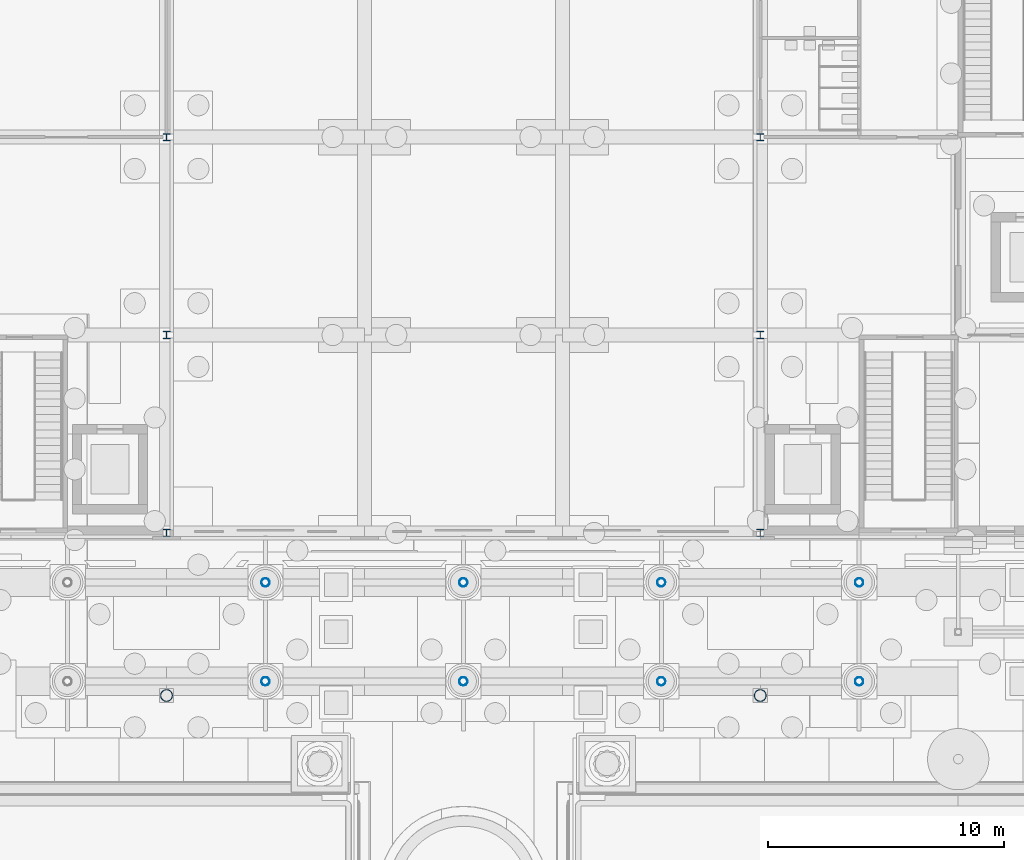
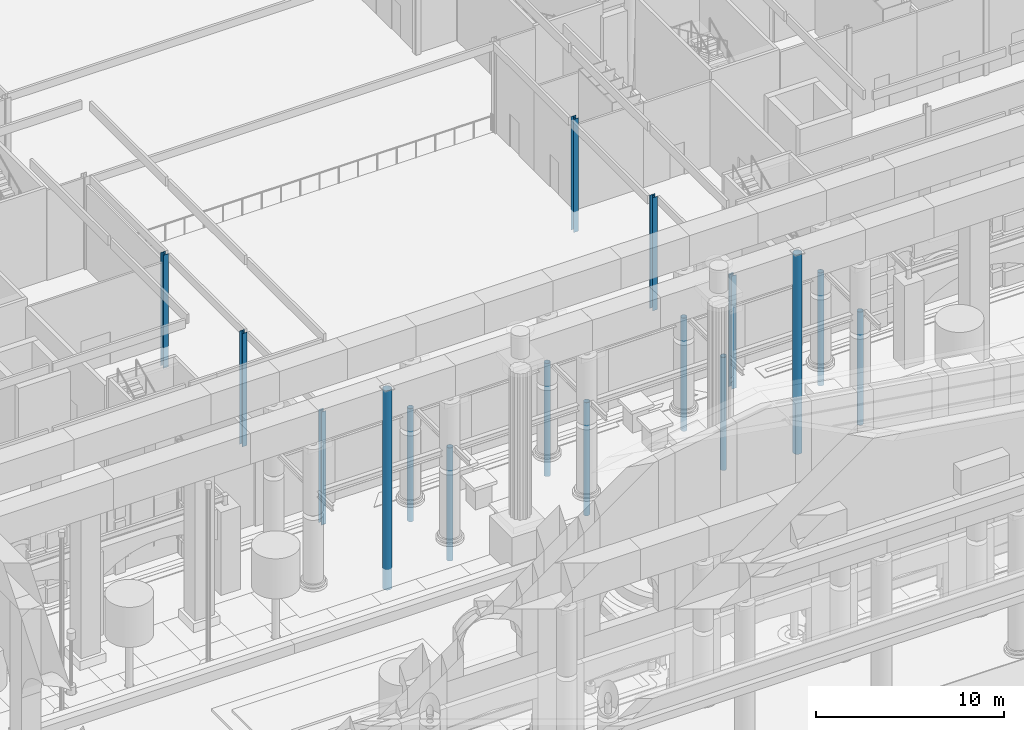
# One storey, part 14 of 222: 16 columns.
"""IFC4 building model written with IfcOpenShell, lengths in metres."""

from ifc_helpers import new_model, si_unit, direction, frame, origin, origin_2d, place, context, subcontext, project, spatial, hollow_circle, i_section, extrude, material, material_profile, profile_set, type_object, element, save


model = new_model("IFC4")

# Units and contexts
model_context = context("Model", 3, precision=1e-05, world=origin(), true_north=direction((0.0, 1.0)))
body_context = subcontext(model_context, "Body", "Model", "MODEL_VIEW")
ifc_project = project(units=[si_unit("LENGTHUNIT", "METRE"), si_unit("AREAUNIT", "SQUARE_METRE"), si_unit("VOLUMEUNIT", "CUBIC_METRE"), si_unit("PLANEANGLEUNIT", "RADIAN"), si_unit("MASSUNIT", "GRAM", prefix="KILO")], contexts=[model_context])

# Site, building, storey
site_placement = place(None, origin())
site = spatial("IfcSite", under=ifc_project, at=site_placement, CompositionType="ELEMENT")
building_placement = place(site_placement, origin())
building = spatial("IfcBuilding", under=site, at=building_placement, Name="Sava Quay Ferry Terminal", CompositionType="ELEMENT")
storey_placement = place(building_placement, origin())
storey = spatial("IfcBuildingStorey", under=building, at=storey_placement, Name="L00", CompositionType="ELEMENT", Elevation=0.0)

# Columns
ifc_material_1 = material(Name="Steel S355", Category="steel")
ifc_material_profile_1 = material_profile(ifc_material_1, hollow_circle(Radius=0.177734375, WallThickness=0.012451171875, at=origin_2d()), Name="CHS 355.6 x 12.5")
ifc_profile_set_1 = profile_set([ifc_material_profile_1], Name="Steel S355")
column_type_1 = type_object("IfcColumnType", Name="Column CHS 355.6 x 12.5", PredefinedType="COLUMN", material=ifc_profile_set_1)
for number, where, z_axis, x_axis, name in (
    (1, (54.60009765625, 18.89990234375, -1.35009765625), (0.0, 0.0, 1.0), (1.0, 0.0, 0.0), "Portico column 54.6/18.9"),
    (2, (54.60009765625, 23.10009765625, -1.35009765625), (0.0, 0.0, 1.0), (1.0, 0.0, 0.0), "Portico column 54.6/23.1"),
    (3, (63.0, 18.89990234375, -1.35009765625), (0.0, 0.0, 1.0), (1.0, 0.0, 0.0), "Portico column 63/18.9"),
    (4, (63.0, 23.10009765625, -1.35009765625), (0.0, 0.0, 1.0), (1.0, 0.0, 0.0), "Portico column 63/23.1"),
    (5, (71.39990234375, 18.89990234375, -1.35009765625), (0.0, 0.0, 1.0), (1.0, 0.0, 0.0), "Portico column 71.4/18.9"),
    (6, (71.39990234375, 23.10009765625, -1.35009765625), (0.0, 0.0, 1.0), (1.0, 0.0, 0.0), "Portico column 71.4/23.1"),
    (7, (79.800048828125, 18.89990234375, -1.35009765625), (0.0, 0.0, 1.0), (1.0, 0.0, 0.0), "Portico column 79.8/18.9"),
    (8, (79.800048828125, 23.10009765625, -1.35009765625), (0.0, 0.0, 1.0), (1.0, 0.0, 0.0), "Portico column 79.8/23.1"),
):
    element("IfcColumn", number, at=place(storey_placement, frame(where, z_axis=z_axis, x_axis=x_axis)), inside=storey, type_object=column_type_1, Name=name, PredefinedType="COLUMN", context=body_context, shape_type="SweptSolid", body=[
        extrude(hollow_circle(Radius=0.177734375, WallThickness=0.012451171875, at=origin_2d()), origin(), (0.0, 0.0, 1.0), 7.35009765625),
    ])
ifc_material_2 = material(Name="Steel S355", Category="steel")
ifc_material_profile_2 = material_profile(ifc_material_2, i_section(OverallWidth=0.300048828125, OverallDepth=0.300048828125, WebThickness=0.010986328125, FlangeThickness=0.01904296875, at=origin_2d()), Name="HE 300 B")
ifc_profile_set_2 = profile_set([ifc_material_profile_2], Name="Steel S355")
column_type_2 = type_object("IfcColumnType", Name="Column HE 300 B", PredefinedType="COLUMN", material=ifc_profile_set_2)
for number, where, z_axis, x_axis, name in (
    (9, (50.39990234375, 25.199951171875, -1.35009765625), (0.0, 0.0, 1.0), (1.0, 0.0, 0.0), "Column L00 50.4/25.2"),
    (10, (50.39990234375, 33.60009765625, -1.35009765625), (0.0, 0.0, 1.0), (1.0, 0.0, 0.0), "Column L00 50.4/33.6"),
    (11, (50.39990234375, 42.0, -1.35009765625), (0.0, 0.0, 1.0), (1.0, 0.0, 0.0), "Column L00 50.4/42"),
    (12, (75.60009765625, 25.199951171875, -1.35009765625), (0.0, 0.0, 1.0), (1.0, 0.0, 0.0), "Column L00 75.6/25.2"),
    (13, (75.60009765625, 33.60009765625, -1.35009765625), (0.0, 0.0, 1.0), (1.0, 0.0, 0.0), "Column L00 75.6/33.6"),
    (14, (75.60009765625, 42.0, -1.35009765625), (0.0, 0.0, 1.0), (1.0, 0.0, 0.0), "Column L00 75.6/42"),
):
    element("IfcColumn", number, at=place(storey_placement, frame(where, z_axis=z_axis, x_axis=x_axis)), inside=storey, type_object=column_type_2, Name=name, PredefinedType="COLUMN", context=body_context, shape_type="SweptSolid", body=[
        extrude(i_section(OverallWidth=0.300048828125, OverallDepth=0.300048828125, WebThickness=0.010986328125, FlangeThickness=0.01904296875, at=origin_2d()), origin(), (0.0, 0.0, 1.0), 7.35009765625),
    ])
ifc_material_3 = material(Name="Steel S355", Category="steel")
ifc_material_profile_3 = material_profile(ifc_material_3, hollow_circle(Radius=0.25390625, WallThickness=0.01611328125, at=origin_2d()), Name="CHS 508 x 16.0")
ifc_profile_set_3 = profile_set([ifc_material_profile_3], Name="Steel S355")
column_type_3 = type_object("IfcColumnType", Name="Stern post CHS 508x16", PredefinedType="COLUMN", material=ifc_profile_set_3)
for number, where, z_axis, x_axis, name in (
    (15, (50.39990234375, 18.300048828125, -1.35009765625), (0.0, 0.0, 1.0), (1.0, 0.0, 0.0), "Arrivals hall stern post 1"),
    (16, (75.60009765625, 18.300048828125, -1.35009765625), (0.0, 0.0, 1.0), (1.0, 0.0, 0.0), "Arrivals hall stern post 2"),
):
    element("IfcColumn", number, at=place(storey_placement, frame(where, z_axis=z_axis, x_axis=x_axis)), inside=storey, type_object=column_type_3, Name=name, PredefinedType="COLUMN", context=body_context, shape_type="SweptSolid", body=[
        extrude(hollow_circle(Radius=0.25390625, WallThickness=0.01611328125, at=origin_2d()), origin(), (0.0, 0.0, 1.0), 12.9501953125),
    ])

save(model, "model.ifc")
